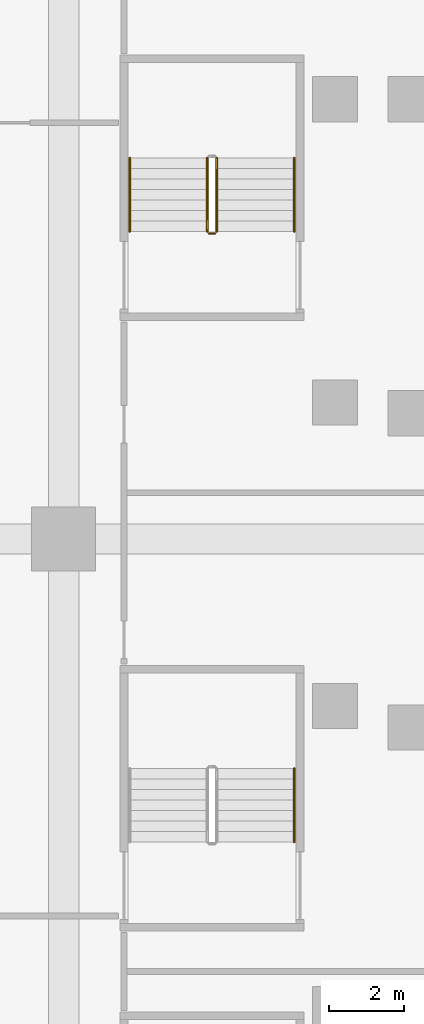
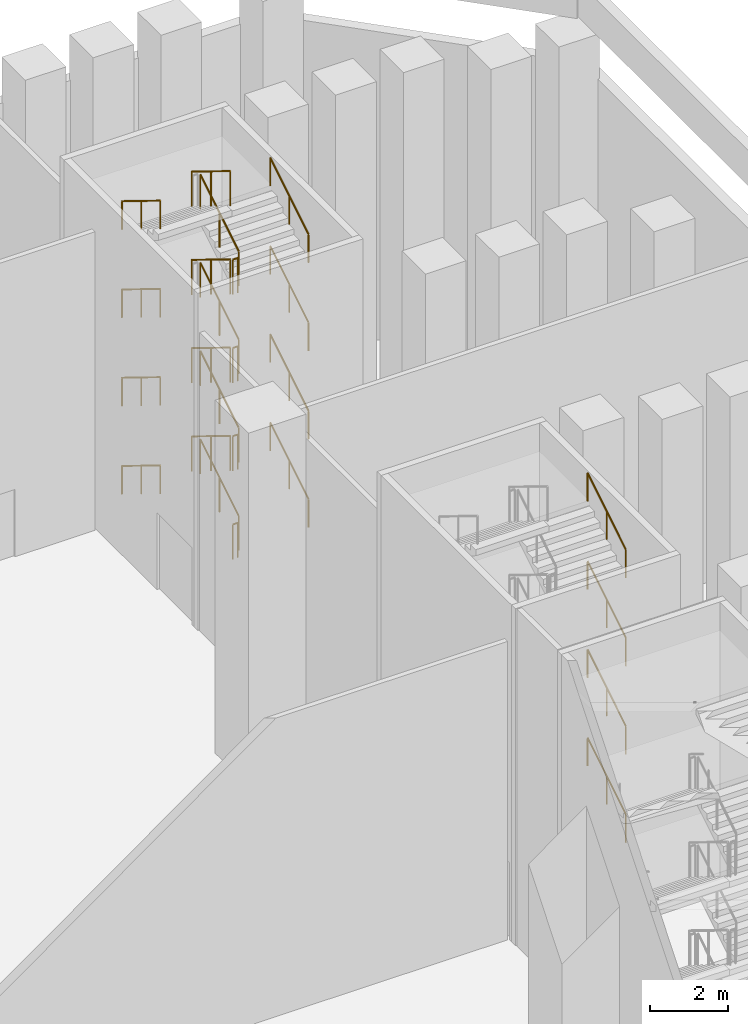
# One storey, part 29 of 31: 24 railings.
"""IFC4 building model written with IfcOpenShell, lengths in metres."""

from ifc_helpers import new_model, si_unit, direction, frame, origin, origin_2d, place, context, subcontext, project, spatial, circle, extrude, material, type_object, element, save


model = new_model("IFC4")

# Units and contexts
model_context = context("Model", 3, precision=1e-05, world=origin(), true_north=direction((0.0, 1.0)))
body_context = subcontext(model_context, "Body", "Model", "MODEL_VIEW")
ifc_project = project(units=[si_unit("LENGTHUNIT", "METRE"), si_unit("AREAUNIT", "SQUARE_METRE"), si_unit("VOLUMEUNIT", "CUBIC_METRE"), si_unit("PLANEANGLEUNIT", "RADIAN"), si_unit("MASSUNIT", "GRAM", prefix="KILO")], contexts=[model_context])

# Site, building, storey
site_placement = place(None, origin())
site = spatial("IfcSite", under=ifc_project, at=site_placement, CompositionType="ELEMENT")
building_placement = place(site_placement, origin())
building = spatial("IfcBuilding", under=site, at=building_placement, Name="Calabash Gate Tower", CompositionType="ELEMENT")
storey_placement = place(building_placement, frame((0.0, 0.0, 9.0)))
storey = spatial("IfcBuildingStorey", under=building, at=storey_placement, Name="L01", CompositionType="ELEMENT", Elevation=9.0)

# Railings
ifc_material_1 = material(Name="Black powder-coated steel balusters", Category="steel")
railing_type_1 = type_object("IfcRailingType", Name="Stair guard RL1100", PredefinedType="GUARDRAIL", material=ifc_material_1)
railing_1_placement = place(storey_placement, frame((36.06005859375, 16.159912109375, 0.171875)))
element("IfcRailing", 1, at=railing_1_placement, inside=storey, type_object=railing_type_1, Name="L01 PS10 stair guard 1", PredefinedType="GUARDRAIL", context=body_context, shape_type="SweptSolid", body=[
    extrude(circle(Radius=0.02392578125, at=origin_2d()), frame((0.0, 0.0, 1.076171875), z_axis=(0.0, 0.851424364277, 0.524477408394), x_axis=(-1.0, 0.0, 0.0)), (0.0, 0.0, 1.0), 2.2939453125),
    extrude(circle(Radius=0.02099609375, at=origin_2d()), origin(), (0.0, 0.0, 1.0), 1.052001953125),
    extrude(circle(Radius=0.02099609375, at=origin_2d()), frame((0.0, 0.9765625, 0.6015625)), (0.0, 0.0, 1.0), 1.052001953125),
    extrude(circle(Radius=0.02099609375, at=origin_2d()), frame((0.0, 1.953125, 1.203125)), (0.0, 0.0, 1.0), 1.052001953125),
])
railing_2_placement = place(storey_placement, frame((35.81005859375, 18.113037109375, 1.546875)))
element("IfcRailing", 2, at=railing_2_placement, inside=storey, type_object=railing_type_1, Name="L01 PS10 stair guard 3", PredefinedType="GUARDRAIL", context=body_context, shape_type="SweptSolid", body=[
    extrude(circle(Radius=0.02392578125, at=origin_2d()), frame((0.0, 0.0, 1.076171875), z_axis=(0.0, -0.851424364277, 0.524477408394), x_axis=(1.0, 0.0, 0.0)), (0.0, 0.0, 1.0), 2.2939453125),
    extrude(circle(Radius=0.02099609375, at=origin_2d()), origin(), (0.0, 0.0, 1.0), 1.052001953125),
    extrude(circle(Radius=0.02099609375, at=origin_2d()), frame((0.0, -0.9765625, 0.6015625)), (0.0, 0.0, 1.0), 1.052001953125),
    extrude(circle(Radius=0.02099609375, at=origin_2d()), frame((0.0, -1.953125, 1.203125)), (0.0, 0.0, 1.0), 1.052001953125),
])
railing_3_placement = place(storey_placement, frame((36.010009765625, 16.110107421875, 2.75)))
element("IfcRailing", 3, at=railing_3_placement, inside=storey, type_object=railing_type_1, Name="L01 PS10 stair guard 4", PredefinedType="GUARDRAIL", context=body_context, shape_type="SweptSolid", body=[
    extrude(circle(Radius=0.02392578125, at=origin_2d()), frame((0.0, 0.0, 1.076171875), z_axis=(-1.0, 0.0, 0.0), x_axis=(0.0, -1.0, 0.0)), (0.0, 0.0, 1.0), 0.14990234375),
    extrude(circle(Radius=0.02099609375, at=origin_2d()), origin(), (0.0, 0.0, 1.0), 1.052001953125),
    extrude(circle(Radius=0.02099609375, at=origin_2d()), frame((-0.14990234375, 0.0, 0.0)), (0.0, 0.0, 1.0), 1.052001953125),
])
railing_4_placement = place(storey_placement, frame((36.06005859375, 16.159912109375, 2.921875)))
element("IfcRailing", 4, at=railing_4_placement, inside=storey, type_object=railing_type_1, Name="L01 PS10 stair guard 5", PredefinedType="GUARDRAIL", context=body_context, shape_type="SweptSolid", body=[
    extrude(circle(Radius=0.02392578125, at=origin_2d()), frame((0.0, 0.0, 1.076171875), z_axis=(0.0, 0.851424364277, 0.524477408394), x_axis=(-1.0, 0.0, 0.0)), (0.0, 0.0, 1.0), 2.2939453125),
    extrude(circle(Radius=0.02099609375, at=origin_2d()), origin(), (0.0, 0.0, 1.0), 1.052001953125),
    extrude(circle(Radius=0.02099609375, at=origin_2d()), frame((0.0, 0.9765625, 0.6015625)), (0.0, 0.0, 1.0), 1.052001953125),
    extrude(circle(Radius=0.02099609375, at=origin_2d()), frame((0.0, 1.953125, 1.203125)), (0.0, 0.0, 1.0), 1.052001953125),
])
railing_5_placement = place(storey_placement, frame((35.81005859375, 18.113037109375, 4.296875)))
element("IfcRailing", 5, at=railing_5_placement, inside=storey, type_object=railing_type_1, Name="L01 PS10 stair guard 7", PredefinedType="GUARDRAIL", context=body_context, shape_type="SweptSolid", body=[
    extrude(circle(Radius=0.02392578125, at=origin_2d()), frame((0.0, 0.0, 1.076171875), z_axis=(0.0, -0.851424364277, 0.524477408394), x_axis=(1.0, 0.0, 0.0)), (0.0, 0.0, 1.0), 2.2939453125),
    extrude(circle(Radius=0.02099609375, at=origin_2d()), origin(), (0.0, 0.0, 1.0), 1.052001953125),
    extrude(circle(Radius=0.02099609375, at=origin_2d()), frame((0.0, -0.9765625, 0.6015625)), (0.0, 0.0, 1.0), 1.052001953125),
    extrude(circle(Radius=0.02099609375, at=origin_2d()), frame((0.0, -1.953125, 1.203125)), (0.0, 0.0, 1.0), 1.052001953125),
])
railing_6_placement = place(storey_placement, frame((36.010009765625, 16.110107421875, 5.5)))
element("IfcRailing", 6, at=railing_6_placement, inside=storey, type_object=railing_type_1, Name="L01 PS10 stair guard 8", PredefinedType="GUARDRAIL", context=body_context, shape_type="SweptSolid", body=[
    extrude(circle(Radius=0.02392578125, at=origin_2d()), frame((0.0, 0.0, 1.076171875), z_axis=(-1.0, 0.0, 0.0), x_axis=(0.0, -1.0, 0.0)), (0.0, 0.0, 1.0), 0.14990234375),
    extrude(circle(Radius=0.02099609375, at=origin_2d()), origin(), (0.0, 0.0, 1.0), 1.052001953125),
    extrude(circle(Radius=0.02099609375, at=origin_2d()), frame((-0.14990234375, 0.0, 0.0)), (0.0, 0.0, 1.0), 1.052001953125),
])
railing_7_placement = place(storey_placement, frame((36.06005859375, 16.159912109375, 5.671875)))
element("IfcRailing", 7, at=railing_7_placement, inside=storey, type_object=railing_type_1, Name="L01 PS10 stair guard 9", PredefinedType="GUARDRAIL", context=body_context, shape_type="SweptSolid", body=[
    extrude(circle(Radius=0.02392578125, at=origin_2d()), frame((0.0, 0.0, 1.076171875), z_axis=(0.0, 0.851424364277, 0.524477408394), x_axis=(-1.0, 0.0, 0.0)), (0.0, 0.0, 1.0), 2.2939453125),
    extrude(circle(Radius=0.02099609375, at=origin_2d()), origin(), (0.0, 0.0, 1.0), 1.052001953125),
    extrude(circle(Radius=0.02099609375, at=origin_2d()), frame((0.0, 0.9765625, 0.6015625)), (0.0, 0.0, 1.0), 1.052001953125),
    extrude(circle(Radius=0.02099609375, at=origin_2d()), frame((0.0, 1.953125, 1.203125)), (0.0, 0.0, 1.0), 1.052001953125),
])
railing_8_placement = place(storey_placement, frame((35.81005859375, 18.113037109375, 7.046875)))
element("IfcRailing", 8, at=railing_8_placement, inside=storey, type_object=railing_type_1, Name="L01 PS10 stair guard 11", PredefinedType="GUARDRAIL", context=body_context, shape_type="SweptSolid", body=[
    extrude(circle(Radius=0.02392578125, at=origin_2d()), frame((0.0, 0.0, 1.076171875), z_axis=(0.0, -0.851424364277, 0.524477408394), x_axis=(1.0, 0.0, 0.0)), (0.0, 0.0, 1.0), 2.2939453125),
    extrude(circle(Radius=0.02099609375, at=origin_2d()), origin(), (0.0, 0.0, 1.0), 1.052001953125),
    extrude(circle(Radius=0.02099609375, at=origin_2d()), frame((0.0, -0.9765625, 0.6015625)), (0.0, 0.0, 1.0), 1.052001953125),
    extrude(circle(Radius=0.02099609375, at=origin_2d()), frame((0.0, -1.953125, 1.203125)), (0.0, 0.0, 1.0), 1.052001953125),
])
railing_9_placement = place(storey_placement, frame((36.010009765625, 16.110107421875, 8.25)))
element("IfcRailing", 9, at=railing_9_placement, inside=storey, type_object=railing_type_1, Name="L01 PS10 stair guard 12", PredefinedType="GUARDRAIL", context=body_context, shape_type="SweptSolid", body=[
    extrude(circle(Radius=0.02392578125, at=origin_2d()), frame((0.0, 0.0, 1.076171875), z_axis=(-1.0, 0.0, 0.0), x_axis=(0.0, -1.0, 0.0)), (0.0, 0.0, 1.0), 0.14990234375),
    extrude(circle(Radius=0.02099609375, at=origin_2d()), origin(), (0.0, 0.0, 1.0), 1.052001953125),
    extrude(circle(Radius=0.02099609375, at=origin_2d()), frame((-0.14990234375, 0.0, 0.0)), (0.0, 0.0, 1.0), 1.052001953125),
])
railing_10_placement = place(storey_placement, frame((36.06005859375, 16.159912109375, 8.421875)))
element("IfcRailing", 10, at=railing_10_placement, inside=storey, type_object=railing_type_1, Name="L01 PS10 stair guard 13", PredefinedType="GUARDRAIL", context=body_context, shape_type="SweptSolid", body=[
    extrude(circle(Radius=0.02392578125, at=origin_2d()), frame((0.0, 0.0, 1.076171875), z_axis=(0.0, 0.851424364277, 0.524477408394), x_axis=(-1.0, 0.0, 0.0)), (0.0, 0.0, 1.0), 2.2939453125),
    extrude(circle(Radius=0.02099609375, at=origin_2d()), origin(), (0.0, 0.0, 1.0), 1.052001953125),
    extrude(circle(Radius=0.02099609375, at=origin_2d()), frame((0.0, 0.9765625, 0.6015625)), (0.0, 0.0, 1.0), 1.052001953125),
    extrude(circle(Radius=0.02099609375, at=origin_2d()), frame((0.0, 1.953125, 1.203125)), (0.0, 0.0, 1.0), 1.052001953125),
])
railing_11_placement = place(storey_placement, frame((35.81005859375, 18.113037109375, 9.796875)))
element("IfcRailing", 11, at=railing_11_placement, inside=storey, type_object=railing_type_1, Name="L01 PS10 stair guard 15", PredefinedType="GUARDRAIL", context=body_context, shape_type="SweptSolid", body=[
    extrude(circle(Radius=0.02392578125, at=origin_2d()), frame((0.0, 0.0, 1.076171875), z_axis=(0.0, -0.851424364277, 0.524477408394), x_axis=(1.0, 0.0, 0.0)), (0.0, 0.0, 1.0), 2.2939453125),
    extrude(circle(Radius=0.02099609375, at=origin_2d()), origin(), (0.0, 0.0, 1.0), 1.052001953125),
    extrude(circle(Radius=0.02099609375, at=origin_2d()), frame((0.0, -0.9765625, 0.6015625)), (0.0, 0.0, 1.0), 1.052001953125),
    extrude(circle(Radius=0.02099609375, at=origin_2d()), frame((0.0, -1.953125, 1.203125)), (0.0, 0.0, 1.0), 1.052001953125),
])
railing_12_placement = place(storey_placement, frame((36.010009765625, 16.110107421875, 0.0)))
element("IfcRailing", 12, at=railing_12_placement, inside=storey, type_object=railing_type_1, Name="L01 PS10 stair guard 16", PredefinedType="GUARDRAIL", context=body_context, shape_type="SweptSolid", body=[
    extrude(circle(Radius=0.02392578125, at=origin_2d()), frame((0.0, 0.0, 1.076171875), z_axis=(-1.0, 0.0, 0.0), x_axis=(0.0, -1.0, 0.0)), (0.0, 0.0, 1.0), 0.14990234375),
    extrude(circle(Radius=0.02099609375, at=origin_2d()), origin(), (0.0, 0.0, 1.0), 1.052001953125),
    extrude(circle(Radius=0.02099609375, at=origin_2d()), frame((-0.14990234375, 0.0, 0.0)), (0.0, 0.0, 1.0), 1.052001953125),
])
ifc_material_2 = material(Name="Black powder-coated steel tube 48 mm", Category="steel")
railing_type_2 = type_object("IfcRailingType", Name="Stair handrail RL900", PredefinedType="HANDRAIL", material=ifc_material_2)
for number, where, name in (
    (13, (38.1201171875, -0.0400390625, 0.171875), "L01 PS9 stair handrail 1"),
    (14, (38.1201171875, -0.0400390625, 2.921875), "L01 PS9 stair handrail 3"),
    (15, (38.1201171875, -0.0400390625, 5.671875), "L01 PS9 stair handrail 5"),
    (16, (38.1201171875, -0.0400390625, 8.421875), "L01 PS9 stair handrail 7"),
    (17, (38.1201171875, 16.159912109375, 0.171875), "L01 PS10 stair handrail 1"),
):
    element("IfcRailing", number, at=place(storey_placement, frame(where)), inside=storey, type_object=railing_type_2, Name=name, PredefinedType="HANDRAIL", context=body_context, shape_type="SweptSolid", body=[
        extrude(circle(Radius=0.02392578125, at=origin_2d()), frame((0.0, 0.0, 0.8759765625), z_axis=(0.0, 0.851424364277, 0.524477408394), x_axis=(-1.0, 0.0, 0.0)), (0.0, 0.0, 1.0), 2.2939453125),
        extrude(circle(Radius=0.02099609375, at=origin_2d()), origin(), (0.0, 0.0, 1.0), 0.851806640625),
        extrude(circle(Radius=0.02099609375, at=origin_2d()), frame((0.0, 0.9765625, 0.6015625)), (0.0, 0.0, 1.0), 0.851806640625),
        extrude(circle(Radius=0.02099609375, at=origin_2d()), frame((0.0, 1.953125, 1.203125)), (0.0, 0.0, 1.0), 0.851806640625),
    ])
railing_13_placement = place(storey_placement, frame((33.75, 18.113037109375, 1.546875)))
element("IfcRailing", 18, at=railing_13_placement, inside=storey, type_object=railing_type_2, Name="L01 PS10 stair handrail 2", PredefinedType="HANDRAIL", context=body_context, shape_type="SweptSolid", body=[
    extrude(circle(Radius=0.02392578125, at=origin_2d()), frame((0.0, 0.0, 0.8759765625), z_axis=(0.0, -0.851424364277, 0.524477408394), x_axis=(1.0, 0.0, 0.0)), (0.0, 0.0, 1.0), 2.2939453125),
    extrude(circle(Radius=0.02099609375, at=origin_2d()), origin(), (0.0, 0.0, 1.0), 0.851806640625),
    extrude(circle(Radius=0.02099609375, at=origin_2d()), frame((0.0, -0.9765625, 0.6015625)), (0.0, 0.0, 1.0), 0.851806640625),
    extrude(circle(Radius=0.02099609375, at=origin_2d()), frame((0.0, -1.953125, 1.203125)), (0.0, 0.0, 1.0), 0.851806640625),
])
railing_14_placement = place(storey_placement, frame((38.1201171875, 16.159912109375, 2.921875)))
element("IfcRailing", 19, at=railing_14_placement, inside=storey, type_object=railing_type_2, Name="L01 PS10 stair handrail 3", PredefinedType="HANDRAIL", context=body_context, shape_type="SweptSolid", body=[
    extrude(circle(Radius=0.02392578125, at=origin_2d()), frame((0.0, 0.0, 0.8759765625), z_axis=(0.0, 0.851424364277, 0.524477408394), x_axis=(-1.0, 0.0, 0.0)), (0.0, 0.0, 1.0), 2.2939453125),
    extrude(circle(Radius=0.02099609375, at=origin_2d()), origin(), (0.0, 0.0, 1.0), 0.851806640625),
    extrude(circle(Radius=0.02099609375, at=origin_2d()), frame((0.0, 0.9765625, 0.6015625)), (0.0, 0.0, 1.0), 0.851806640625),
    extrude(circle(Radius=0.02099609375, at=origin_2d()), frame((0.0, 1.953125, 1.203125)), (0.0, 0.0, 1.0), 0.851806640625),
])
railing_15_placement = place(storey_placement, frame((33.75, 18.113037109375, 4.296875)))
element("IfcRailing", 20, at=railing_15_placement, inside=storey, type_object=railing_type_2, Name="L01 PS10 stair handrail 4", PredefinedType="HANDRAIL", context=body_context, shape_type="SweptSolid", body=[
    extrude(circle(Radius=0.02392578125, at=origin_2d()), frame((0.0, 0.0, 0.8759765625), z_axis=(0.0, -0.851424364277, 0.524477408394), x_axis=(1.0, 0.0, 0.0)), (0.0, 0.0, 1.0), 2.2939453125),
    extrude(circle(Radius=0.02099609375, at=origin_2d()), origin(), (0.0, 0.0, 1.0), 0.851806640625),
    extrude(circle(Radius=0.02099609375, at=origin_2d()), frame((0.0, -0.9765625, 0.6015625)), (0.0, 0.0, 1.0), 0.851806640625),
    extrude(circle(Radius=0.02099609375, at=origin_2d()), frame((0.0, -1.953125, 1.203125)), (0.0, 0.0, 1.0), 0.851806640625),
])
railing_16_placement = place(storey_placement, frame((38.1201171875, 16.159912109375, 5.671875)))
element("IfcRailing", 21, at=railing_16_placement, inside=storey, type_object=railing_type_2, Name="L01 PS10 stair handrail 5", PredefinedType="HANDRAIL", context=body_context, shape_type="SweptSolid", body=[
    extrude(circle(Radius=0.02392578125, at=origin_2d()), frame((0.0, 0.0, 0.8759765625), z_axis=(0.0, 0.851424364277, 0.524477408394), x_axis=(-1.0, 0.0, 0.0)), (0.0, 0.0, 1.0), 2.2939453125),
    extrude(circle(Radius=0.02099609375, at=origin_2d()), origin(), (0.0, 0.0, 1.0), 0.851806640625),
    extrude(circle(Radius=0.02099609375, at=origin_2d()), frame((0.0, 0.9765625, 0.6015625)), (0.0, 0.0, 1.0), 0.851806640625),
    extrude(circle(Radius=0.02099609375, at=origin_2d()), frame((0.0, 1.953125, 1.203125)), (0.0, 0.0, 1.0), 0.851806640625),
])
railing_17_placement = place(storey_placement, frame((33.75, 18.113037109375, 7.046875)))
element("IfcRailing", 22, at=railing_17_placement, inside=storey, type_object=railing_type_2, Name="L01 PS10 stair handrail 6", PredefinedType="HANDRAIL", context=body_context, shape_type="SweptSolid", body=[
    extrude(circle(Radius=0.02392578125, at=origin_2d()), frame((0.0, 0.0, 0.8759765625), z_axis=(0.0, -0.851424364277, 0.524477408394), x_axis=(1.0, 0.0, 0.0)), (0.0, 0.0, 1.0), 2.2939453125),
    extrude(circle(Radius=0.02099609375, at=origin_2d()), origin(), (0.0, 0.0, 1.0), 0.851806640625),
    extrude(circle(Radius=0.02099609375, at=origin_2d()), frame((0.0, -0.9765625, 0.6015625)), (0.0, 0.0, 1.0), 0.851806640625),
    extrude(circle(Radius=0.02099609375, at=origin_2d()), frame((0.0, -1.953125, 1.203125)), (0.0, 0.0, 1.0), 0.851806640625),
])
railing_18_placement = place(storey_placement, frame((38.1201171875, 16.159912109375, 8.421875)))
element("IfcRailing", 23, at=railing_18_placement, inside=storey, type_object=railing_type_2, Name="L01 PS10 stair handrail 7", PredefinedType="HANDRAIL", context=body_context, shape_type="SweptSolid", body=[
    extrude(circle(Radius=0.02392578125, at=origin_2d()), frame((0.0, 0.0, 0.8759765625), z_axis=(0.0, 0.851424364277, 0.524477408394), x_axis=(-1.0, 0.0, 0.0)), (0.0, 0.0, 1.0), 2.2939453125),
    extrude(circle(Radius=0.02099609375, at=origin_2d()), origin(), (0.0, 0.0, 1.0), 0.851806640625),
    extrude(circle(Radius=0.02099609375, at=origin_2d()), frame((0.0, 0.9765625, 0.6015625)), (0.0, 0.0, 1.0), 0.851806640625),
    extrude(circle(Radius=0.02099609375, at=origin_2d()), frame((0.0, 1.953125, 1.203125)), (0.0, 0.0, 1.0), 0.851806640625),
])
railing_19_placement = place(storey_placement, frame((33.75, 18.113037109375, 9.796875)))
element("IfcRailing", 24, at=railing_19_placement, inside=storey, type_object=railing_type_2, Name="L01 PS10 stair handrail 8", PredefinedType="HANDRAIL", context=body_context, shape_type="SweptSolid", body=[
    extrude(circle(Radius=0.02392578125, at=origin_2d()), frame((0.0, 0.0, 0.8759765625), z_axis=(0.0, -0.851424364277, 0.524477408394), x_axis=(1.0, 0.0, 0.0)), (0.0, 0.0, 1.0), 2.2939453125),
    extrude(circle(Radius=0.02099609375, at=origin_2d()), origin(), (0.0, 0.0, 1.0), 0.851806640625),
    extrude(circle(Radius=0.02099609375, at=origin_2d()), frame((0.0, -0.9765625, 0.6015625)), (0.0, 0.0, 1.0), 0.851806640625),
    extrude(circle(Radius=0.02099609375, at=origin_2d()), frame((0.0, -1.953125, 1.203125)), (0.0, 0.0, 1.0), 0.851806640625),
])

save(model, "model.ifc")
